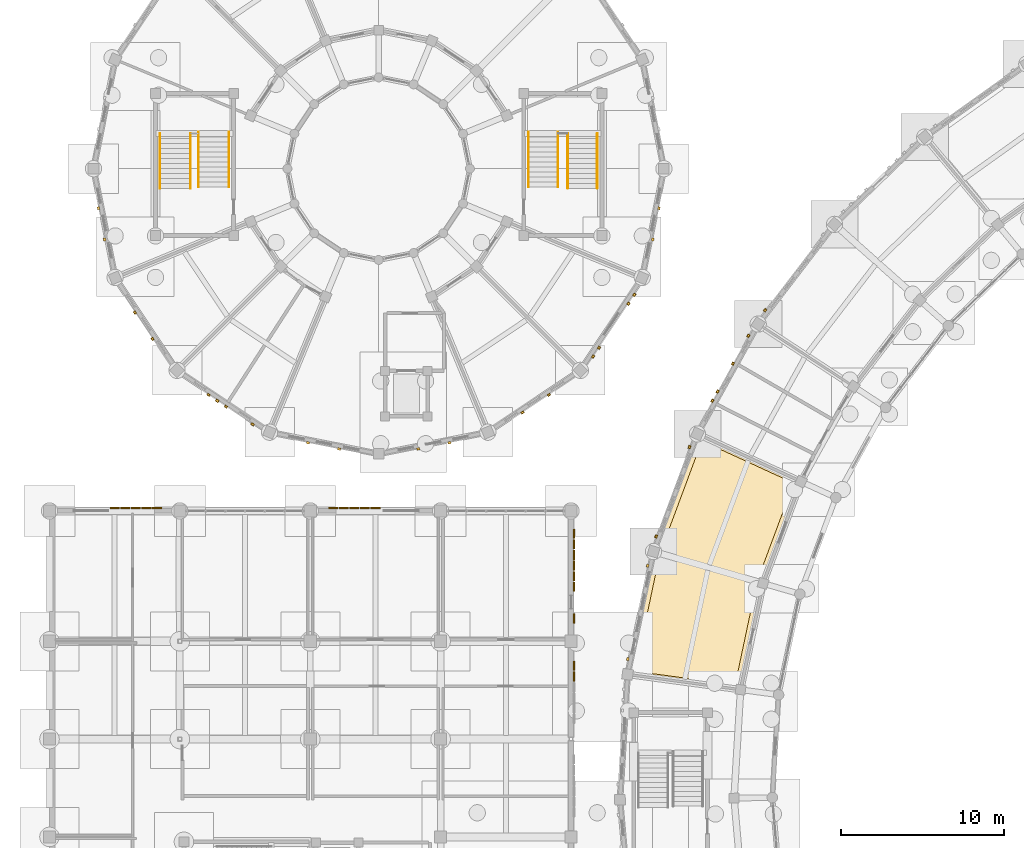
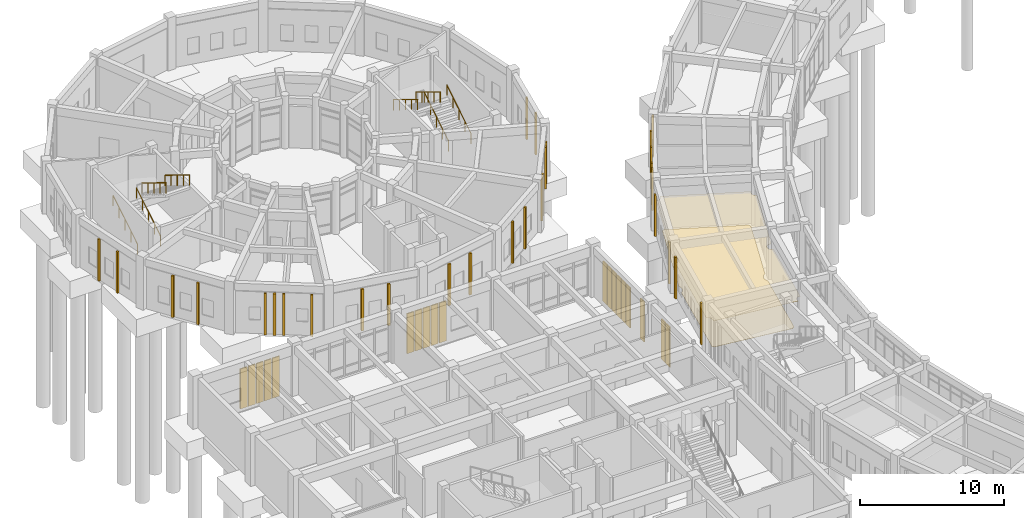
# One storey, part 145 of 153: 31 coverings, 19 shading devices, 8 railings.
"""IFC4 building model written with IfcOpenShell, lengths in metres."""

from ifc_helpers import new_model, si_unit, direction, frame, origin, origin_2d, place, context, subcontext, project, spatial, polyline, rectangle, circle, outline, extrude, material, layer, layer_set, type_object, element, save


model = new_model("IFC4")

# Units and contexts
model_context = context("Model", 3, precision=1e-05, world=origin(), true_north=direction((0.0, 1.0)))
body_context = subcontext(model_context, "Body", "Model", "MODEL_VIEW")
ifc_project = project(units=[si_unit("LENGTHUNIT", "METRE"), si_unit("AREAUNIT", "SQUARE_METRE"), si_unit("VOLUMEUNIT", "CUBIC_METRE"), si_unit("PLANEANGLEUNIT", "RADIAN"), si_unit("MASSUNIT", "GRAM", prefix="KILO")], contexts=[model_context])

# Site, building, storey
site_placement = place(None, origin())
site = spatial("IfcSite", under=ifc_project, at=site_placement, CompositionType="ELEMENT")
building_placement = place(site_placement, origin())
building = spatial("IfcBuilding", under=site, at=building_placement, Name="Celadon Cloister-Ring School", CompositionType="ELEMENT")
storey_placement = place(building_placement, origin())
storey = spatial("IfcBuildingStorey", under=building, at=storey_placement, Name="L00", CompositionType="ELEMENT", Elevation=0.0)

# Coverings
ifc_material_1 = material(Name="Mineral-fibre acoustic ceiling board")
ifc_layer_1 = layer(ifc_material_1, 0.02001953125)
ifc_layer_set_1 = layer_set([ifc_layer_1], Name="Mineral-fibre acoustic ceiling board")
covering_type_1 = type_object("IfcCoveringType", Name="CV-CL1", PredefinedType="CEILING", material=ifc_layer_set_1)
covering_1_placement = place(storey_placement, frame((0.0, 0.0, 2.550048828125)))
element("IfcCovering", 1, at=covering_1_placement, inside=storey, type_object=covering_type_1, Name="Acoustic Ceiling 0004", PredefinedType="CEILING", context=body_context, shape_type="SweptSolid", body=[
    extrude(outline(polyline([(39.615966796875, 80.410888671875), (39.68896484375, 80.387939453125), (39.7900390625, 80.383056640625), (39.85595703125, 80.39599609375), (39.947998046875, 80.43896484375), (40.0, 80.48193359375), (40.06005859375, 80.56298828125), (40.093994140625, 80.658935546875), (40.10107421875, 80.735107421875), (40.133056640625, 80.722900390625), (45.906982421875, 78.068115234375), (45.924072265625, 78.055908203125), (45.85009765625, 77.97900390625), (45.81005859375, 77.89404296875), (45.7958984375, 77.801025390625), (45.802001953125, 77.739013671875), (45.833984375, 77.64990234375), (45.889892578125, 77.574951171875), (45.965087890625, 77.51904296875), (46.04296875, 77.489990234375), (43.93505859375, 71.837890625), (43.84912109375, 71.868896484375), (43.787109375, 71.875), (43.72509765625, 71.868896484375), (43.6650390625, 71.85107421875), (43.583984375, 71.802001953125), (43.5400390625, 71.758056640625), (43.5048828125, 71.7060546875), (43.48095703125, 71.64794921875), (43.467041015625, 71.554931640625), (43.472900390625, 71.492919921875), (43.490966796875, 71.43310546875), (43.52099609375, 71.376953125), (43.583984375, 71.30810546875), (43.635986328125, 71.27294921875), (43.694091796875, 71.2490234375), (43.760009765625, 71.236083984375), (42.510986328125, 65.333984375), (42.406005859375, 65.35205078125), (42.31298828125, 65.337890625), (42.22802734375, 65.298095703125), (42.158935546875, 65.235107421875), (42.110107421875, 65.154052734375), (42.087890625, 65.06298828125), (42.092041015625, 64.969970703125), (42.115966796875, 64.89697265625), (42.06494140625, 64.89697265625), (35.76904296875, 65.7490234375), (35.740966796875, 65.759033203125), (35.7880859375, 65.839111328125), (35.81201171875, 65.93701171875), (35.81201171875, 66.0048828125), (35.7880859375, 66.10302734375), (35.736083984375, 66.18994140625), (35.68798828125, 66.238037109375), (35.60107421875, 66.2900390625), (35.52099609375, 66.31201171875), (36.972900390625, 73.176025390625), (37.031005859375, 73.1650390625), (37.09912109375, 73.1650390625), (37.1650390625, 73.177978515625), (37.22802734375, 73.2041015625), (37.30908203125, 73.263916015625), (37.35205078125, 73.31591796875), (37.384033203125, 73.3759765625), (37.403076171875, 73.44091796875), (37.409912109375, 73.508056640625), (37.403076171875, 73.574951171875), (37.384033203125, 73.639892578125), (37.35205078125, 73.699951171875), (37.30908203125, 73.751953125), (37.257080078125, 73.794921875), (37.166015625, 73.837890625), (39.615966796875, 80.410888671875)])), origin(), (0.0, 0.0, 1.0), 0.02001953125),
])
ifc_material_2 = material(Name="Polished cement-marble terrazzo tile", Category="masonry")
ifc_layer_2 = layer(ifc_material_2, 0.01806640625)
ifc_layer_set_2 = layer_set([ifc_layer_2], Name="Polished cement-marble terrazzo tile")
covering_type_2 = type_object("IfcCoveringType", Name="CV-FL1", PredefinedType="FLOORING", material=ifc_layer_set_2)
covering_2_placement = place(storey_placement, origin())
element("IfcCovering", 2, at=covering_2_placement, inside=storey, type_object=covering_type_2, Name="Terrazzo Flooring 0003", PredefinedType="FLOORING", context=body_context, shape_type="SweptSolid", body=[
    extrude(outline(polyline([(35.958984375, 66.306884765625), (37.3759765625, 73.0009765625), (37.385009765625, 73.007080078125), (37.406005859375, 73.02001953125), (37.43310546875, 73.041015625), (37.451904296875, 73.055908203125), (37.47705078125, 73.0791015625), (37.493896484375, 73.095947265625), (37.51708984375, 73.12109375), (37.531982421875, 73.139892578125), (37.552978515625, 73.1669921875), (37.56591796875, 73.18798828125), (37.583984375, 73.217041015625), (37.594970703125, 73.238037109375), (37.610107421875, 73.26904296875), (37.618896484375, 73.2919921875), (37.631103515625, 73.323974609375), (37.637939453125, 73.346923828125), (37.64599609375, 73.3798828125), (37.65087890625, 73.404052734375), (37.656005859375, 73.43798828125), (37.657958984375, 73.4619140625), (37.659912109375, 73.49609375), (37.659912109375, 73.52001953125), (37.657958984375, 73.553955078125), (37.656005859375, 73.577880859375), (37.65087890625, 73.612060546875), (37.64599609375, 73.635986328125), (37.637939453125, 73.6689453125), (37.631103515625, 73.69189453125), (37.618896484375, 73.72412109375), (37.610107421875, 73.7470703125), (37.59912109375, 73.76904296875), (39.988037109375, 80.178955078125), (39.9951171875, 80.180908203125), (40.02587890625, 80.196044921875), (40.047119140625, 80.20703125), (40.075927734375, 80.22509765625), (40.096923828125, 80.238037109375), (40.1201171875, 80.256103515625), (45.548095703125, 77.760986328125), (45.548095703125, 77.757080078125), (45.550048828125, 77.73291015625), (45.554931640625, 77.701904296875), (45.56005859375, 77.677978515625), (45.56689453125, 77.64697265625), (45.573974609375, 77.6240234375), (45.5849609375, 77.593994140625), (45.593994140625, 77.572021484375), (45.60498046875, 77.548095703125), (43.56689453125, 72.080078125), (43.55810546875, 72.076904296875), (43.529052734375, 72.06298828125), (43.508056640625, 72.052001953125), (43.48095703125, 72.035888671875), (43.4599609375, 72.02197265625), (43.43505859375, 72.0029296875), (43.416015625, 71.988037109375), (43.39306640625, 71.967041015625), (43.375, 71.948974609375), (43.35400390625, 71.926025390625), (43.339111328125, 71.906982421875), (43.320068359375, 71.882080078125), (43.305908203125, 71.861083984375), (43.2900390625, 71.833984375), (43.279052734375, 71.81298828125), (43.264892578125, 71.783935546875), (43.256103515625, 71.761962890625), (43.2451171875, 71.73193359375), (43.238037109375, 71.708984375), (43.23095703125, 71.677978515625), (43.22607421875, 71.654052734375), (43.220947265625, 71.623046875), (43.218994140625, 71.59912109375), (43.217041015625, 71.56689453125), (43.217041015625, 71.54296875), (43.218994140625, 71.510986328125), (43.220947265625, 71.487060546875), (43.22607421875, 71.4560546875), (43.23095703125, 71.431884765625), (43.238037109375, 71.40087890625), (43.2451171875, 71.3779296875), (43.256103515625, 71.347900390625), (43.264892578125, 71.325927734375), (43.279052734375, 71.297119140625), (43.2900390625, 71.27587890625), (43.305908203125, 71.2490234375), (43.319091796875, 71.22998046875), (42.111083984375, 65.51904296875), (42.10009765625, 65.512939453125), (42.0791015625, 65.4990234375), (42.053955078125, 65.47998046875), (42.034912109375, 65.465087890625), (42.011962890625, 65.444091796875), (41.993896484375, 65.426025390625), (41.972900390625, 65.403076171875), (41.9580078125, 65.384033203125), (41.93896484375, 65.35888671875), (41.931884765625, 65.34912109375), (36.037109375, 66.14599609375), (36.034912109375, 66.155029296875), (36.02294921875, 66.18701171875), (36.013916015625, 66.2099609375), (35.9990234375, 66.240966796875), (35.988037109375, 66.261962890625), (35.969970703125, 66.291015625), (35.958984375, 66.306884765625)])), origin(), (0.0, 0.0, 1.0), 0.01806640625),
])
ifc_material_3 = material(Name="Perforated terracotta clay brick masonry", Category="masonry")
ifc_layer_3 = layer(ifc_material_3, 0.139892578125)
ifc_layer_set_3 = layer_set([ifc_layer_3], Name="Perforated terracotta clay brick masonry")
covering_type_3 = type_object("IfcCoveringType", Name="CV-SC1", PredefinedType="CLADDING", material=ifc_layer_set_3)
for number, where, z_axis, x_axis, name in (
    (3, (43.906982421875, 88.31103515625, 0.0), (0.0, 0.0, 1.0), (0.608041153742, 0.793905507826, 0.0), "Brick Screen Rib 0011"),
    (4, (40.678955078125, 82.760009765625, 0.0), (0.0, 0.0, 1.0), (0.483862906985, 0.875143809465, 0.0), "Brick Screen Rib 0013"),
    (5, (40.992919921875, 83.3291015625, 0.0), (0.0, 0.0, 1.0), (0.483862906985, 0.875143809465, 0.0), "Brick Screen Rib 0014"),
    (6, (41.93701171875, 85.034912109375, 0.0), (0.0, 0.0, 1.0), (0.483862906985, 0.875143809465, 0.0), "Brick Screen Rib 0015"),
    (7, (42.8798828125, 86.741943359375, 0.0), (0.0, 0.0, 1.0), (0.483862906985, 0.875143809465, 0.0), "Brick Screen Rib 0016"),
    (8, (37.222900390625, 74.43798828125, 0.0), (0.0, 0.0, 1.0), (0.349438906874, 0.936959150851, 0.0), "Brick Screen Rib 0017"),
    (9, (39.26708984375, 79.9189453125, 0.0), (0.0, 0.0, 1.0), (0.349438906874, 0.936959150851, 0.0), "Brick Screen Rib 0018"),
    (10, (35.488037109375, 66.9150390625, 0.0), (0.0, 0.0, 1.0), (0.207075091974, 0.978325051445, 0.0), "Brick Screen Rib 0019"),
    (11, (36.699951171875, 72.637939453125, 0.0), (0.0, 0.0, 1.0), (0.207075091974, 0.978325051445, 0.0), "Brick Screen Rib 0020"),
    (12, (3.383056640625, 92.660888671875, 0.0), (0.0, 0.0, 1.0), (-0.195141675546, 0.980775064153, 0.0), "Brick Screen Rib 0450"),
    (13, (3.001953125, 94.572998046875, 0.0), (0.0, 0.0, 1.0), (-0.195141675546, 0.980775064153, 0.0), "Brick Screen Rib 0451"),
    (14, (6.323974609375, 86.555908203125, 0.0), (0.0, 0.0, 1.0), (-0.555686322663, 0.831392031959, 0.0), "Brick Screen Rib 0452"),
    (15, (5.239990234375, 88.177001953125, 0.0), (0.0, 0.0, 1.0), (-0.555686322663, 0.831392031959, 0.0), "Brick Screen Rib 0453"),
    (16, (12.4580078125, 81.318115234375, 0.0), (0.0, 0.0, 1.0), (-0.831392031959, 0.555686322663, 0.0), "Brick Screen Rib 0454"),
    (17, (10.8359375, 82.40087890625, 0.0), (0.0, 0.0, 1.0), (-0.831392031959, 0.555686322663, 0.0), "Brick Screen Rib 0455"),
    (18, (10.2958984375, 82.761962890625, 0.0), (0.0, 0.0, 1.0), (-0.831392031959, 0.555686322663, 0.0), "Brick Screen Rib 0456"),
    (19, (9.756103515625, 83.1240234375, 0.0), (0.0, 0.0, 1.0), (-0.831392031959, 0.555686322663, 0.0), "Brick Screen Rib 0457"),
    (20, (17.77294921875, 79.802001953125, 0.0), (0.0, 0.0, 1.0), (-0.980775064153, 0.195141675546, 0.0), "Brick Screen Rib 0458"),
    (21, (15.861083984375, 80.18310546875, 0.0), (0.0, 0.0, 1.0), (-0.980775064153, 0.195141675546, 0.0), "Brick Screen Rib 0459"),
    (22, (24.5390625, 80.18310546875, 0.0), (0.0, 0.0, 1.0), (-0.980775064153, -0.195141675546, 0.0), "Brick Screen Rib 0460"),
    (23, (22.626953125, 79.802001953125, 0.0), (0.0, 0.0, 1.0), (-0.980775064153, -0.195141675546, 0.0), "Brick Screen Rib 0461"),
    (24, (30.64404296875, 83.1240234375, 0.0), (0.0, 0.0, 1.0), (-0.831392031959, -0.555686322663, 0.0), "Brick Screen Rib 0462"),
    (25, (29.02294921875, 82.0400390625, 0.0), (0.0, 0.0, 1.0), (-0.831392031959, -0.555686322663, 0.0), "Brick Screen Rib 0463"),
    (26, (35.882080078125, 89.258056640625, 0.0), (0.0, 0.0, 1.0), (-0.555686322663, -0.831392031959, 0.0), "Brick Screen Rib 0464"),
    (27, (35.52099609375, 88.717041015625, 0.0), (0.0, 0.0, 1.0), (-0.555686322663, -0.831392031959, 0.0), "Brick Screen Rib 0465"),
    (28, (33.715087890625, 86.014892578125, 0.0), (0.0, 0.0, 1.0), (-0.555686322663, -0.831392031959, 0.0), "Brick Screen Rib 0466"),
    (29, (33.35400390625, 85.47509765625, 0.0), (0.0, 0.0, 1.0), (-0.555686322663, -0.831392031959, 0.0), "Brick Screen Rib 0467"),
    (30, (37.39794921875, 94.572998046875, 0.0), (0.0, 0.0, 1.0), (-0.195141675546, -0.980775064153, 0.0), "Brick Screen Rib 0468"),
    (31, (37.01708984375, 92.660888671875, 0.0), (0.0, 0.0, 1.0), (-0.195141675546, -0.980775064153, 0.0), "Brick Screen Rib 0469"),
):
    element("IfcCovering", number, at=place(storey_placement, frame(where, z_axis=z_axis, x_axis=x_axis)), inside=storey, type_object=covering_type_3, Name=name, PredefinedType="CLADDING", context=body_context, shape_type="SweptSolid", body=[
        extrude(rectangle(XDim=0.179931640625, YDim=0.139892578125, at=origin_2d()), origin(), (0.0, 0.0, 1.0), 3.530029296875),
    ])

# Railings
ifc_material_4 = material(Name="Structural steel S355JR", Category="steel")
railing_type = type_object("IfcRailingType", Name="RL-HR1", PredefinedType="HANDRAIL", material=ifc_material_4)
for number, where, name in (
    (32, (8.655029296875, 95.800048828125, 0.18798828125), "Stair Handrail 0113"),
    (33, (6.784912109375, 95.800048828125, 0.18798828125), "Stair Handrail 0114"),
):
    element("IfcRailing", number, at=place(storey_placement, frame(where)), inside=storey, type_object=railing_type, Name=name, PredefinedType="HANDRAIL", context=body_context, shape_type="SweptSolid", body=[
        extrude(circle(Radius=0.02099609375, at=origin_2d()), frame((0.0, 0.0, 0.87890625), z_axis=(0.0, 0.85195193322, 0.523619999125), x_axis=(-1.0, 0.0, 0.0)), (0.0, 0.0, 1.0), 3.93798828125),
        extrude(circle(Radius=0.01806640625, at=origin_2d()), origin(), (0.0, 0.0, 1.0), 0.85791015625),
        extrude(circle(Radius=0.01806640625, at=origin_2d()), frame((0.0, 0.8388671875, 0.515625)), (0.0, 0.0, 1.0), 0.85791015625),
        extrude(circle(Radius=0.01806640625, at=origin_2d()), frame((0.0, 1.677490234375, 1.031005859375)), (0.0, 0.0, 1.0), 0.85791015625),
        extrude(circle(Radius=0.01806640625, at=origin_2d()), frame((0.0, 2.51611328125, 1.54638671875)), (0.0, 0.0, 1.0), 0.85791015625),
        extrude(circle(Radius=0.01806640625, at=origin_2d()), frame((0.0, 3.35498046875, 2.06201171875)), (0.0, 0.0, 1.0), 0.85791015625),
    ])
for number, where, name in (
    (34, (9.14501953125, 99.235107421875, 2.43798828125), "Stair Handrail 0115"),
    (35, (11.014892578125, 99.235107421875, 2.43798828125), "Stair Handrail 0116"),
):
    element("IfcRailing", number, at=place(storey_placement, frame(where)), inside=storey, type_object=railing_type, Name=name, PredefinedType="HANDRAIL", context=body_context, shape_type="SweptSolid", body=[
        extrude(circle(Radius=0.02099609375, at=origin_2d()), frame((0.0, 0.0, 0.87890625), z_axis=(0.0, -0.851968929864, 0.523592343857), x_axis=(1.0, 0.0, 0.0)), (0.0, 0.0, 1.0), 3.938232421875),
        extrude(circle(Radius=0.01806640625, at=origin_2d()), origin(), (0.0, 0.0, 1.0), 0.85791015625),
        extrude(circle(Radius=0.01806640625, at=origin_2d()), frame((0.0, -0.8388671875, 0.515625)), (0.0, 0.0, 1.0), 0.85791015625),
        extrude(circle(Radius=0.01806640625, at=origin_2d()), frame((0.0, -1.677734375, 1.031005859375)), (0.0, 0.0, 1.0), 0.85791015625),
        extrude(circle(Radius=0.01806640625, at=origin_2d()), frame((0.0, -2.516357421875, 1.54638671875)), (0.0, 0.0, 1.0), 0.85791015625),
        extrude(circle(Radius=0.01806640625, at=origin_2d()), frame((0.0, -3.355224609375, 2.06201171875)), (0.0, 0.0, 1.0), 0.85791015625),
    ])
for number, where, name in (
    (36, (33.614990234375, 95.800048828125, 0.18798828125), "Stair Handrail 0134"),
    (37, (31.804931640625, 95.800048828125, 0.18798828125), "Stair Handrail 0135"),
):
    element("IfcRailing", number, at=place(storey_placement, frame(where)), inside=storey, type_object=railing_type, Name=name, PredefinedType="HANDRAIL", context=body_context, shape_type="SweptSolid", body=[
        extrude(circle(Radius=0.02099609375, at=origin_2d()), frame((0.0, 0.0, 0.87890625), z_axis=(0.0, 0.85195193322, 0.523619999125), x_axis=(-1.0, 0.0, 0.0)), (0.0, 0.0, 1.0), 3.93798828125),
        extrude(circle(Radius=0.01806640625, at=origin_2d()), origin(), (0.0, 0.0, 1.0), 0.85791015625),
        extrude(circle(Radius=0.01806640625, at=origin_2d()), frame((0.0, 0.8388671875, 0.515625)), (0.0, 0.0, 1.0), 0.85791015625),
        extrude(circle(Radius=0.01806640625, at=origin_2d()), frame((0.0, 1.677490234375, 1.031005859375)), (0.0, 0.0, 1.0), 0.85791015625),
        extrude(circle(Radius=0.01806640625, at=origin_2d()), frame((0.0, 2.51611328125, 1.54638671875)), (0.0, 0.0, 1.0), 0.85791015625),
        extrude(circle(Radius=0.01806640625, at=origin_2d()), frame((0.0, 3.35498046875, 2.06201171875)), (0.0, 0.0, 1.0), 0.85791015625),
    ])
for number, where, name in (
    (38, (29.385009765625, 99.235107421875, 2.43798828125), "Stair Handrail 0136"),
    (39, (31.195068359375, 99.235107421875, 2.43798828125), "Stair Handrail 0137"),
):
    element("IfcRailing", number, at=place(storey_placement, frame(where)), inside=storey, type_object=railing_type, Name=name, PredefinedType="HANDRAIL", context=body_context, shape_type="SweptSolid", body=[
        extrude(circle(Radius=0.02099609375, at=origin_2d()), frame((0.0, 0.0, 0.87890625), z_axis=(0.0, -0.851968929864, 0.523592343857), x_axis=(1.0, 0.0, 0.0)), (0.0, 0.0, 1.0), 3.938232421875),
        extrude(circle(Radius=0.01806640625, at=origin_2d()), origin(), (0.0, 0.0, 1.0), 0.85791015625),
        extrude(circle(Radius=0.01806640625, at=origin_2d()), frame((0.0, -0.8388671875, 0.515625)), (0.0, 0.0, 1.0), 0.85791015625),
        extrude(circle(Radius=0.01806640625, at=origin_2d()), frame((0.0, -1.677734375, 1.031005859375)), (0.0, 0.0, 1.0), 0.85791015625),
        extrude(circle(Radius=0.01806640625, at=origin_2d()), frame((0.0, -2.516357421875, 1.54638671875)), (0.0, 0.0, 1.0), 0.85791015625),
        extrude(circle(Radius=0.01806640625, at=origin_2d()), frame((0.0, -3.355224609375, 2.06201171875)), (0.0, 0.0, 1.0), 0.85791015625),
    ])

# Shading devices
ifc_material_5 = material(Name="Glazed celadon architectural terracotta", Category="masonry")
shading_device_type = type_object("IfcShadingDeviceType", Name="SD-02", PredefinedType="USERDEFINED", material=ifc_material_5)
for number, where, z_axis, x_axis, name in (
    (40, (4.0, 76.181884765625, 0.0), (0.0, 0.0, 1.0), (1.0, 0.0, 0.0), "Celadon Sunshade Screen 0062"),
    (41, (4.64990234375, 76.181884765625, 0.0), (0.0, 0.0, 1.0), (1.0, 0.0, 0.0), "Celadon Sunshade Screen 0063"),
    (42, (5.300048828125, 76.181884765625, 0.0), (0.0, 0.0, 1.0), (1.0, 0.0, 0.0), "Celadon Sunshade Screen 0064"),
    (43, (5.949951171875, 76.181884765625, 0.0), (0.0, 0.0, 1.0), (1.0, 0.0, 0.0), "Celadon Sunshade Screen 0065"),
    (44, (6.60009765625, 76.181884765625, 0.0), (0.0, 0.0, 1.0), (1.0, 0.0, 0.0), "Celadon Sunshade Screen 0066"),
    (45, (17.39990234375, 76.181884765625, 0.0), (0.0, 0.0, 1.0), (1.0, 0.0, 0.0), "Celadon Sunshade Screen 0067"),
    (46, (18.050048828125, 76.181884765625, 0.0), (0.0, 0.0, 1.0), (1.0, 0.0, 0.0), "Celadon Sunshade Screen 0068"),
    (47, (18.699951171875, 76.181884765625, 0.0), (0.0, 0.0, 1.0), (1.0, 0.0, 0.0), "Celadon Sunshade Screen 0069"),
    (48, (19.35009765625, 76.181884765625, 0.0), (0.0, 0.0, 1.0), (1.0, 0.0, 0.0), "Celadon Sunshade Screen 0070"),
    (49, (20.0, 76.181884765625, 0.0), (0.0, 0.0, 1.0), (1.0, 0.0, 0.0), "Celadon Sunshade Screen 0071"),
    (50, (32.181884765625, 74.60009765625, 0.0), (0.0, 0.0, 1.0), (0.0, -1.0, 0.0), "Celadon Sunshade Screen 0072"),
    (51, (32.181884765625, 73.949951171875, 0.0), (0.0, 0.0, 1.0), (0.0, -1.0, 0.0), "Celadon Sunshade Screen 0073"),
    (52, (32.181884765625, 73.300048828125, 0.0), (0.0, 0.0, 1.0), (0.0, -1.0, 0.0), "Celadon Sunshade Screen 0074"),
    (53, (32.181884765625, 72.64990234375, 0.0), (0.0, 0.0, 1.0), (0.0, -1.0, 0.0), "Celadon Sunshade Screen 0075"),
    (54, (32.181884765625, 72.0, 0.0), (0.0, 0.0, 1.0), (0.0, -1.0, 0.0), "Celadon Sunshade Screen 0076"),
    (55, (32.181884765625, 71.35009765625, 0.0), (0.0, 0.0, 1.0), (0.0, -1.0, 0.0), "Celadon Sunshade Screen 0077"),
    (56, (32.181884765625, 69.39990234375, 0.0), (0.0, 0.0, 1.0), (0.0, -1.0, 0.0), "Celadon Sunshade Screen 0078"),
    (57, (32.181884765625, 66.492919921875, 0.0), (0.0, 0.0, 1.0), (0.0, -1.0, 0.0), "Celadon Sunshade Screen 0079"),
    (58, (32.181884765625, 65.843017578125, 0.0), (0.0, 0.0, 1.0), (0.0, -1.0, 0.0), "Celadon Sunshade Screen 0080"),
):
    element("IfcShadingDevice", number, at=place(storey_placement, frame(where, z_axis=z_axis, x_axis=x_axis)), inside=storey, type_object=shading_device_type, Name=name, ObjectType="SUNSHADE", PredefinedType="USERDEFINED", context=body_context, shape_type="SweptSolid", body=[
        extrude(rectangle(XDim=0.56005859375, YDim=0.090087890625, at=origin_2d()), origin(), (0.0, 0.0, 1.0), 3.39990234375),
    ])

save(model, "model.ifc")
